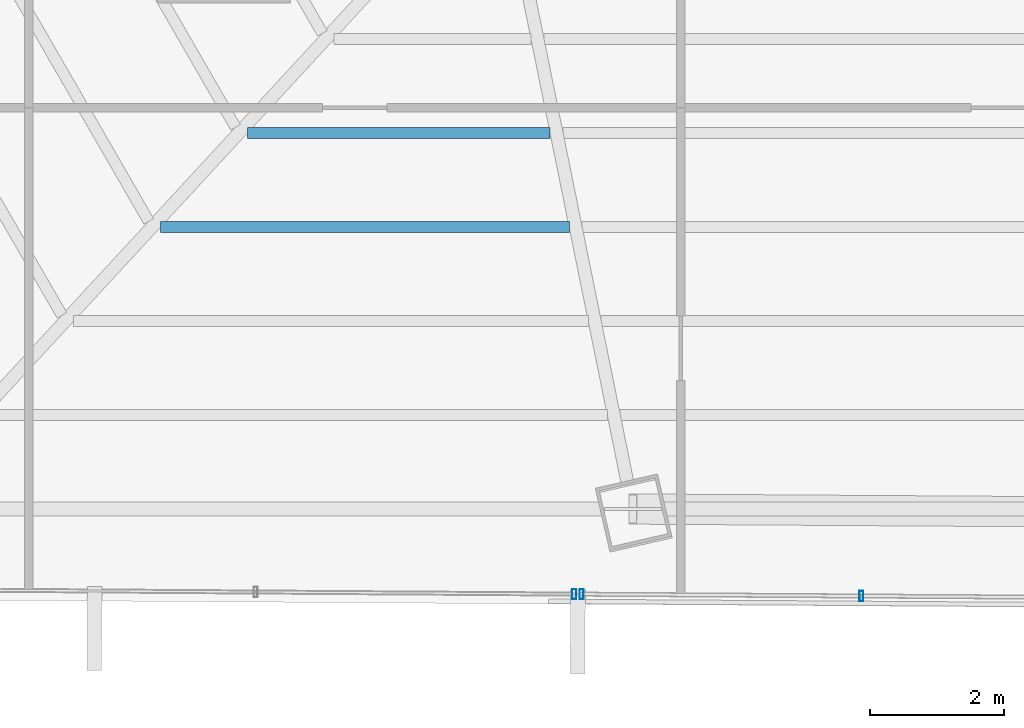
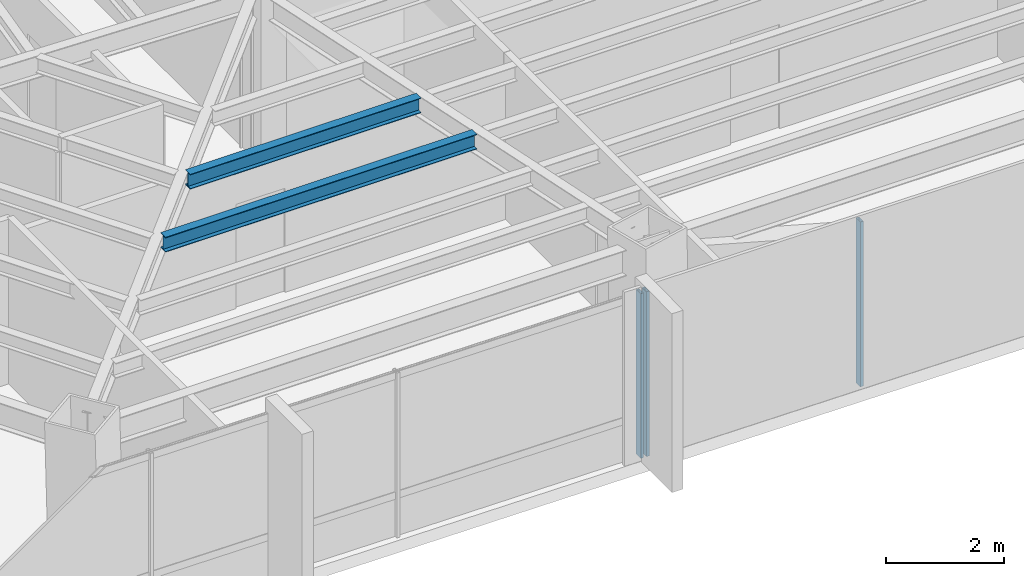
# One storey, part 8 of 41: 3 members, 2 beams, 2 elements without a shape of their own.
"""IFC4 building model written with IfcOpenShell, lengths in metres."""

from ifc_helpers import new_model, si_unit, direction, frame, origin, origin_2d, place, context, subcontext, project, spatial, hollow_rectangle, i_section, extrude, source, transform, mapped, material, material_profile, profile_set, type_object, type_shapes, element, aggregate, save


model = new_model("IFC4")

# Units and contexts
model_context = context("Model", 3, precision=1e-05, world=origin(), true_north=direction((0.0, 1.0)))
body_context = subcontext(model_context, "Body", "Model", "MODEL_VIEW")
ifc_project = project(units=[si_unit("LENGTHUNIT", "METRE"), si_unit("AREAUNIT", "SQUARE_METRE"), si_unit("VOLUMEUNIT", "CUBIC_METRE"), si_unit("PLANEANGLEUNIT", "RADIAN"), si_unit("MASSUNIT", "GRAM", prefix="KILO")], contexts=[model_context])

# Site, building, storey
site_placement = place(None, origin())
site = spatial("IfcSite", under=ifc_project, at=site_placement, CompositionType="ELEMENT")
building_placement = place(site_placement, origin())
building = spatial("IfcBuilding", under=site, at=building_placement, Name="Caelisora Broadcast Tower", CompositionType="ELEMENT")
storey_placement = place(building_placement, frame((0.0, 0.0, 165.800048828125)))
storey = spatial("IfcBuildingStorey", under=building, at=storey_placement, Name="L43", CompositionType="ELEMENT", Elevation=165.800048828125)

# Beams
ifc_material_1 = material(Name="Steel Grade 350 (AS/NZS 3679.1)", Category="steel")
ifc_material_profile_1 = material_profile(ifc_material_1, i_section(OverallWidth=0.166015625, OverallDepth=0.30712890625, WebThickness=0.006591796875, FlangeThickness=0.01171875, at=origin_2d()), Name="Steel Grade 350 (AS/NZS 3679.1)")
ifc_profile_set_1 = profile_set([ifc_material_profile_1], Name="Steel Grade 350 (AS/NZS 3679.1)")
beam_type = type_object("IfcBeamType", Name="SB03", PredefinedType="JOIST", material=ifc_profile_set_1)
shared_shape_1 = source(origin(), body_context, "Body", "SweptSolid", [
    extrude(i_section(OverallWidth=0.166015625, OverallDepth=0.30712890625, WebThickness=0.006591796875, FlangeThickness=0.01171875, at=origin_2d()), origin(), (0.0, 0.0, 1.0), 4.505126953125),
])
beam_1_placement = place(storey_placement, frame((26.75146484375, 13.2041015625, 3.246337890625), z_axis=(1.0, 0.0, 0.0), x_axis=(0.0, 1.0, 0.0)))
element("IfcBeam", 1, at=beam_1_placement, inside=storey, type_object=beam_type, Name="L43 beam SB03", PredefinedType="JOIST", context=body_context, shape_type="MappedRepresentation", body=[
    mapped(shared_shape_1, transform((0.0, 0.0, 0.0), scale=1.0)),
])
shared_shape_2 = source(origin(), body_context, "Body", "SweptSolid", [
    extrude(i_section(OverallWidth=0.166015625, OverallDepth=0.30712890625, WebThickness=0.006591796875, FlangeThickness=0.01171875, at=origin_2d()), origin(), (0.0, 0.0, 1.0), 6.08056640625),
])
type_shapes(beam_type, [shared_shape_1, shared_shape_2])
beam_2_placement = place(storey_placement, frame((25.459716796875, 11.805419921875, 3.246337890625), z_axis=(1.0, 0.0, 0.0), x_axis=(0.0, 1.0, 0.0)))
element("IfcBeam", 2, at=beam_2_placement, inside=storey, type_object=beam_type, Name="L43 beam SB03", PredefinedType="JOIST", context=body_context, shape_type="MappedRepresentation", body=[
    mapped(shared_shape_2, transform((0.0, 0.0, 0.0), scale=1.0)),
])

# Curtain wall, members
ifc_material_2 = material(Name="Unitised Aluminium Insulated Shadow-Box Spandrel Curtain Wall", Category="aluminium")
curtain_wall_type_1 = type_object("IfcCurtainWallType", Name="CW-SP2", PredefinedType="NOTDEFINED", material=ifc_material_2)
curtain_wall_1_placement = place(storey_placement, origin())
curtain_wall_1 = element("IfcCurtainWall", 3, at=curtain_wall_1_placement, inside=storey, type_object=curtain_wall_type_1, Name="L43 curtain wall CW-SP2", PredefinedType="NOTDEFINED")
ifc_material_3 = material(Name="Aluminium 6063-T6 Anodised Terracotta Bronze", Category="aluminium")
ifc_material_profile_2 = material_profile(ifc_material_3, hollow_rectangle(XDim=0.06005859375, YDim=0.14990234375, WallThickness=0.00341796875, at=origin_2d()), Name="Aluminium 6063-T6 Anodised Terracotta Bronze")
ifc_profile_set_2 = profile_set([ifc_material_profile_2], Name="Aluminium 6063-T6 Anodised Terracotta Bronze")
member_type = type_object("IfcMemberType", Name="CWM-03", PredefinedType="MULLION", material=ifc_profile_set_2)
shared_shape_3 = source(origin(), body_context, "Body", "SweptSolid", [
    extrude(hollow_rectangle(XDim=0.06005859375, YDim=0.14990234375, WallThickness=0.00341796875, at=origin_2d()), origin(), (0.0, 0.0, 1.0), 3.39990234375),
])
type_shapes(member_type, [shared_shape_3])
member_1_placement = place(storey_placement, frame((35.885986328125, 6.31591796875, 0.0), z_axis=(0.0, 0.0, 1.0), x_axis=(1.0, 0.0, 0.0)))
member_1 = element("IfcMember", 4, at=member_1_placement, type_object=member_type, Name="L43-CW-B06 mullion #2", PredefinedType="MULLION", context=body_context, shape_type="MappedRepresentation", body=[
    mapped(shared_shape_3, transform((0.0, 0.0, 0.0), scale=1.0)),
])
member_2_placement = place(storey_placement, frame((31.72412109375, 6.343017578125, 0.0), z_axis=(0.0, 0.0, 1.0), x_axis=(1.0, 0.0, 0.0)))
member_2 = element("IfcMember", 5, at=member_2_placement, type_object=member_type, Name="L43-CW-B06 mullion #3", PredefinedType="MULLION", context=body_context, shape_type="MappedRepresentation", body=[
    mapped(shared_shape_3, transform((0.0, 0.0, 0.0), scale=1.0)),
])
aggregate(curtain_wall_1, [member_1, member_2])

# Curtain wall, member
ifc_material_4 = material(Name="Unitised Aluminium and Low-E Glass Curtain Wall", Category="glass")
curtain_wall_type_2 = type_object("IfcCurtainWallType", Name="CW-Z3", PredefinedType="NOTDEFINED", material=ifc_material_4)
curtain_wall_2_placement = place(storey_placement, origin())
curtain_wall_2 = element("IfcCurtainWall", 6, at=curtain_wall_2_placement, inside=storey, type_object=curtain_wall_type_2, Name="L43 curtain wall CW-Z3", PredefinedType="NOTDEFINED")
member_3_placement = place(storey_placement, frame((31.6142578125, 6.343994140625, 0.0), z_axis=(0.0, 0.0, 1.0), x_axis=(1.0, 0.0, 0.0)))
member_3 = element("IfcMember", 7, at=member_3_placement, type_object=member_type, Name="L43-CW-B07 mullion #0", PredefinedType="MULLION", context=body_context, shape_type="MappedRepresentation", body=[
    mapped(shared_shape_3, transform((0.0, 0.0, 0.0), scale=1.0)),
])
aggregate(curtain_wall_2, [member_3])

save(model, "model.ifc")
